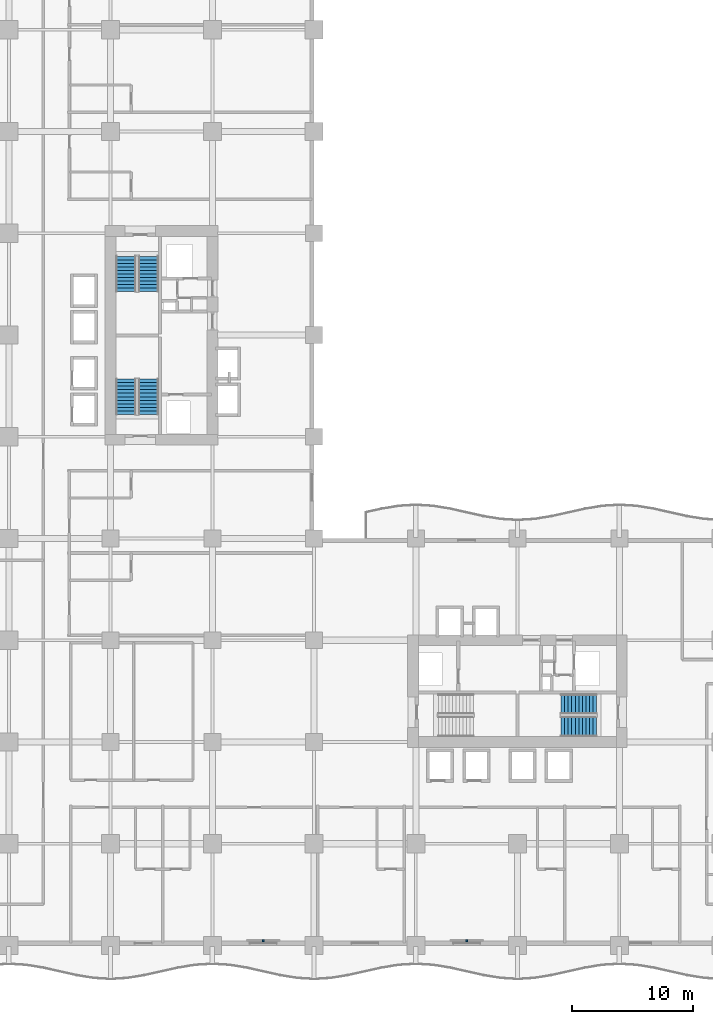
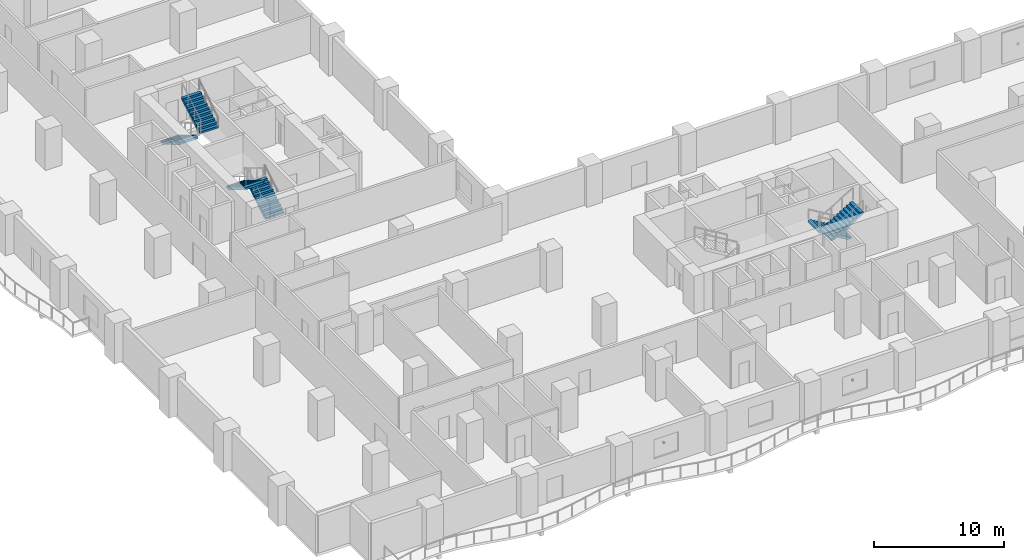
# One storey, part 16 of 22: 6 stair flights, 2 discrete accessories, 3 elements without a shape of their own.
"""IFC4 building model written with IfcOpenShell, lengths in metres."""

from ifc_helpers import new_model, si_unit, direction, frame, origin, origin_2d, place, context, subcontext, project, spatial, polyline, rectangle, outline, extrude, material, type_object, element, aggregate, save


model = new_model("IFC4")

# Units and contexts
model_context = context("Model", 3, precision=1e-05, world=origin(), true_north=direction((0.0, 1.0)))
body_context = subcontext(model_context, "Body", "Model", "MODEL_VIEW")
ifc_project = project(units=[si_unit("LENGTHUNIT", "METRE"), si_unit("AREAUNIT", "SQUARE_METRE"), si_unit("VOLUMEUNIT", "CUBIC_METRE"), si_unit("PLANEANGLEUNIT", "RADIAN"), si_unit("MASSUNIT", "GRAM", prefix="KILO")], contexts=[model_context])

# Site, building, storey
site_placement = place(None, origin())
site = spatial("IfcSite", under=ifc_project, at=site_placement, CompositionType="ELEMENT")
building_placement = place(site_placement, origin())
building = spatial("IfcBuilding", under=site, at=building_placement, Name="Koriwani Terraces Tower", CompositionType="ELEMENT")
storey_placement = place(building_placement, frame((0.0, 0.0, 62.39990234375)))
storey = spatial("IfcBuildingStorey", under=building, at=storey_placement, Name="L14", CompositionType="ELEMENT", Elevation=62.39990234375)

# Stair, stair flights
ifc_material_1 = material(Name="Concrete C40/50", Category="concrete")
stair_type = type_object("IfcStairType", Name="STAIR_CORE_DOGLEG_1650", PredefinedType="TWO_STRAIGHT_RUN_STAIR", material=ifc_material_1)
stair_1_placement = place(storey_placement, origin())
stair_1 = element("IfcStair", 1, at=stair_1_placement, inside=storey, type_object=stair_type, Name="L14 West Core Exit Stair 1", PredefinedType="HALF_TURN_STAIR")
stair_flight_type = type_object("IfcStairFlightType", Name="STAIR_FLIGHT_RC_1650", PredefinedType="STRAIGHT", material=ifc_material_1)
stair_flight_1_placement = place(storey_placement, frame((19.925048828125, 43.85009765625, 0.0), z_axis=(0.0, 0.0, 1.0), x_axis=(0.0, 1.0, 0.0)))
stair_flight_1 = element("IfcStairFlight", 2, at=stair_flight_1_placement, type_object=stair_flight_type, Name="ST-W1 flight 1", NumberOfRisers=11, NumberOfTreads=10, PredefinedType="STRAIGHT", RiserHeight=0.172727273, TreadLength=0.29, context=body_context, shape_type="SweptSolid", body=[
    extrude(outline(polyline([(0.0, 0.0), (0.0, 0.172607421875), (0.2900390625, 0.172607421875), (0.2900390625, 0.345458984375), (0.580078125, 0.345458984375), (0.580078125, 0.51806640625), (0.8701171875, 0.51806640625), (0.8701171875, 0.69091796875), (1.159912109375, 0.69091796875), (1.159912109375, 0.863525390625), (1.449951171875, 0.863525390625), (1.449951171875, 1.036376953125), (1.739990234375, 1.036376953125), (1.739990234375, 1.208984375), (2.030029296875, 1.208984375), (2.030029296875, 1.3818359375), (2.320068359375, 1.3818359375), (2.320068359375, 1.554443359375), (2.610107421875, 1.554443359375), (2.610107421875, 1.727294921875), (2.89990234375, 1.727294921875), (2.89990234375, 1.89990234375), (2.89990234375, 1.517822265625), (0.3515625, 0.0), (0.0, 0.0)])), frame((0.0, 0.824951171875, 0.0), z_axis=(0.0, -1.0, 0.0), x_axis=(1.0, 0.0, 0.0)), (0.0, 0.0, 1.0), 1.64990234375),
])
stair_flight_2_placement = place(storey_placement, frame((18.074951171875, 46.75, 1.900146484375), z_axis=(0.0, 0.0, 1.0), x_axis=(0.0, -1.0, 0.0)))
stair_flight_2 = element("IfcStairFlight", 3, at=stair_flight_2_placement, type_object=stair_flight_type, Name="ST-W1 flight 2", NumberOfRisers=11, NumberOfTreads=10, PredefinedType="STRAIGHT", RiserHeight=0.172727273, TreadLength=0.29, context=body_context, shape_type="SweptSolid", body=[
    extrude(outline(polyline([(0.0, 0.0), (0.0, 0.172607421875), (0.2900390625, 0.172607421875), (0.2900390625, 0.345458984375), (0.580078125, 0.345458984375), (0.580078125, 0.51806640625), (0.8701171875, 0.51806640625), (0.8701171875, 0.69091796875), (1.159912109375, 0.69091796875), (1.159912109375, 0.863525390625), (1.449951171875, 0.863525390625), (1.449951171875, 1.036376953125), (1.739990234375, 1.036376953125), (1.739990234375, 1.208984375), (2.030029296875, 1.208984375), (2.030029296875, 1.3818359375), (2.320068359375, 1.3818359375), (2.320068359375, 1.554443359375), (2.610107421875, 1.554443359375), (2.610107421875, 1.727294921875), (2.89990234375, 1.727294921875), (2.89990234375, 1.89990234375), (2.89990234375, 1.517822265625), (0.3515625, 0.0), (0.0, 0.0)])), frame((0.0, 0.824951171875, 0.0), z_axis=(0.0, -1.0, 0.0), x_axis=(1.0, 0.0, 0.0)), (0.0, 0.0, 1.0), 1.64990234375),
])
aggregate(stair_1, [stair_flight_1, stair_flight_2])

stair_2_placement = place(storey_placement, origin())
stair_2 = element("IfcStair", 4, at=stair_2_placement, inside=storey, type_object=stair_type, Name="L14 West Core Exit Stair 2", PredefinedType="HALF_TURN_STAIR")
stair_flight_3_placement = place(storey_placement, frame((18.074951171875, 56.89990234375, 0.0), z_axis=(0.0, 0.0, 1.0), x_axis=(0.0, -1.0, 0.0)))
stair_flight_3 = element("IfcStairFlight", 5, at=stair_flight_3_placement, type_object=stair_flight_type, Name="ST-W2 flight 1", NumberOfRisers=11, NumberOfTreads=10, PredefinedType="STRAIGHT", RiserHeight=0.172727273, TreadLength=0.29, context=body_context, shape_type="SweptSolid", body=[
    extrude(outline(polyline([(0.0, 0.0), (0.0, 0.172607421875), (0.2900390625, 0.172607421875), (0.2900390625, 0.345458984375), (0.580078125, 0.345458984375), (0.580078125, 0.51806640625), (0.8701171875, 0.51806640625), (0.8701171875, 0.69091796875), (1.159912109375, 0.69091796875), (1.159912109375, 0.863525390625), (1.449951171875, 0.863525390625), (1.449951171875, 1.036376953125), (1.739990234375, 1.036376953125), (1.739990234375, 1.208984375), (2.030029296875, 1.208984375), (2.030029296875, 1.3818359375), (2.320068359375, 1.3818359375), (2.320068359375, 1.554443359375), (2.610107421875, 1.554443359375), (2.610107421875, 1.727294921875), (2.89990234375, 1.727294921875), (2.89990234375, 1.89990234375), (2.89990234375, 1.517822265625), (0.3515625, 0.0), (0.0, 0.0)])), frame((0.0, 0.824951171875, 0.0), z_axis=(0.0, -1.0, 0.0), x_axis=(1.0, 0.0, 0.0)), (0.0, 0.0, 1.0), 1.64990234375),
])
stair_flight_4_placement = place(storey_placement, frame((19.925048828125, 54.0, 1.900146484375), z_axis=(0.0, 0.0, 1.0), x_axis=(0.0, 1.0, 0.0)))
stair_flight_4 = element("IfcStairFlight", 6, at=stair_flight_4_placement, type_object=stair_flight_type, Name="ST-W2 flight 2", NumberOfRisers=11, NumberOfTreads=10, PredefinedType="STRAIGHT", RiserHeight=0.172727273, TreadLength=0.29, context=body_context, shape_type="SweptSolid", body=[
    extrude(outline(polyline([(0.0, 0.0), (0.0, 0.172607421875), (0.2900390625, 0.172607421875), (0.2900390625, 0.345458984375), (0.580078125, 0.345458984375), (0.580078125, 0.51806640625), (0.8701171875, 0.51806640625), (0.8701171875, 0.69091796875), (1.159912109375, 0.69091796875), (1.159912109375, 0.863525390625), (1.449951171875, 0.863525390625), (1.449951171875, 1.036376953125), (1.739990234375, 1.036376953125), (1.739990234375, 1.208984375), (2.030029296875, 1.208984375), (2.030029296875, 1.3818359375), (2.320068359375, 1.3818359375), (2.320068359375, 1.554443359375), (2.610107421875, 1.554443359375), (2.610107421875, 1.727294921875), (2.89990234375, 1.727294921875), (2.89990234375, 1.89990234375), (2.89990234375, 1.517822265625), (0.3515625, 0.0), (0.0, 0.0)])), frame((0.0, 0.824951171875, 0.0), z_axis=(0.0, -1.0, 0.0), x_axis=(1.0, 0.0, 0.0)), (0.0, 0.0, 1.0), 1.64990234375),
])
aggregate(stair_2, [stair_flight_3, stair_flight_4])

stair_3_placement = place(storey_placement, origin())
stair_3 = element("IfcStair", 7, at=stair_3_placement, inside=storey, type_object=stair_type, Name="L14 East Core Exit Stair 2", PredefinedType="HALF_TURN_STAIR")
stair_flight_5_placement = place(storey_placement, frame((56.89990234375, 19.925048828125, 0.0), z_axis=(0.0, 0.0, 1.0), x_axis=(-1.0, 0.0, 0.0)))
stair_flight_5 = element("IfcStairFlight", 8, at=stair_flight_5_placement, type_object=stair_flight_type, Name="ST-E2 flight 1", NumberOfRisers=11, NumberOfTreads=10, PredefinedType="STRAIGHT", RiserHeight=0.172727273, TreadLength=0.29, context=body_context, shape_type="SweptSolid", body=[
    extrude(outline(polyline([(0.0, 0.0), (0.0, 0.172607421875), (0.2900390625, 0.172607421875), (0.2900390625, 0.345458984375), (0.580078125, 0.345458984375), (0.580078125, 0.51806640625), (0.8701171875, 0.51806640625), (0.8701171875, 0.69091796875), (1.159912109375, 0.69091796875), (1.159912109375, 0.863525390625), (1.449951171875, 0.863525390625), (1.449951171875, 1.036376953125), (1.739990234375, 1.036376953125), (1.739990234375, 1.208984375), (2.030029296875, 1.208984375), (2.030029296875, 1.3818359375), (2.320068359375, 1.3818359375), (2.320068359375, 1.554443359375), (2.610107421875, 1.554443359375), (2.610107421875, 1.727294921875), (2.89990234375, 1.727294921875), (2.89990234375, 1.89990234375), (2.89990234375, 1.517822265625), (0.3515625, 0.0), (0.0, 0.0)])), frame((0.0, 0.824951171875, 0.0), z_axis=(0.0, -1.0, 0.0), x_axis=(1.0, 0.0, 0.0)), (0.0, 0.0, 1.0), 1.64990234375),
])
stair_flight_6_placement = place(storey_placement, frame((54.0, 18.074951171875, 1.900146484375), z_axis=(0.0, 0.0, 1.0), x_axis=(1.0, 0.0, 0.0)))
stair_flight_6 = element("IfcStairFlight", 9, at=stair_flight_6_placement, type_object=stair_flight_type, Name="ST-E2 flight 2", NumberOfRisers=11, NumberOfTreads=10, PredefinedType="STRAIGHT", RiserHeight=0.172727273, TreadLength=0.29, context=body_context, shape_type="SweptSolid", body=[
    extrude(outline(polyline([(0.0, 0.0), (0.0, 0.172607421875), (0.2900390625, 0.172607421875), (0.2900390625, 0.345458984375), (0.580078125, 0.345458984375), (0.580078125, 0.51806640625), (0.8701171875, 0.51806640625), (0.8701171875, 0.69091796875), (1.159912109375, 0.69091796875), (1.159912109375, 0.863525390625), (1.449951171875, 0.863525390625), (1.449951171875, 1.036376953125), (1.739990234375, 1.036376953125), (1.739990234375, 1.208984375), (2.030029296875, 1.208984375), (2.030029296875, 1.3818359375), (2.320068359375, 1.3818359375), (2.320068359375, 1.554443359375), (2.610107421875, 1.554443359375), (2.610107421875, 1.727294921875), (2.89990234375, 1.727294921875), (2.89990234375, 1.89990234375), (2.89990234375, 1.517822265625), (0.3515625, 0.0), (0.0, 0.0)])), frame((0.0, 0.824951171875, 0.0), z_axis=(0.0, -1.0, 0.0), x_axis=(1.0, 0.0, 0.0)), (0.0, 0.0, 1.0), 1.64990234375),
])
aggregate(stair_3, [stair_flight_5, stair_flight_6])

# Discrete accessories
ifc_material_2 = material(Name="Steel ASTM A572 Grade 50", Category="steel")
discrete_accessory_type = type_object("IfcDiscreteAccessoryType", Name="BAGUETTE_STANDOFF_BRACKET", PredefinedType="BRACKET", material=ifc_material_2)
for number, where, z_axis, x_axis, name in (
    (10, (29.39990234375, 0.389892578125, 1.68505859375), (0.0, 0.0, 1.0), (-1.0, 0.0, 0.0), "L14 Terracotta Baguette Bracket (S-9)"),
    (11, (46.199951171875, 0.389892578125, 1.68505859375), (0.0, 0.0, 1.0), (-1.0, 0.0, 0.0), "L14 Terracotta Baguette Bracket (S-15)"),
):
    element("IfcDiscreteAccessory", number, at=place(storey_placement, frame(where, z_axis=z_axis, x_axis=x_axis)), inside=storey, type_object=discrete_accessory_type, Name=name, PredefinedType="BRACKET", context=body_context, shape_type="SweptSolid", body=[
        extrude(rectangle(XDim=0.159912109375, YDim=0.199951171875, at=origin_2d()), origin(), (0.0, 0.0, 1.0), 0.179931640625),
    ])

save(model, "model.ifc")
